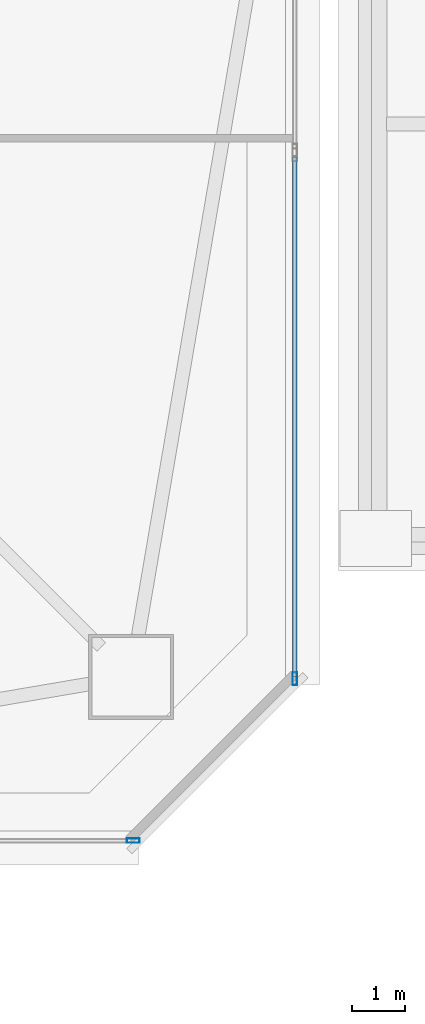
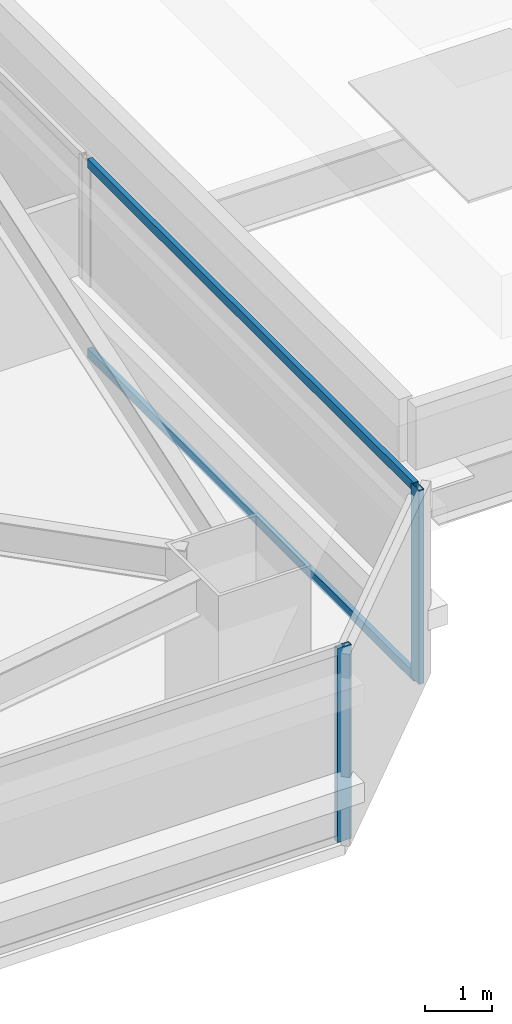
# One storey, part 9 of 62: 4 members, 2 elements without a shape of their own.
"""IFC4 building model written with IfcOpenShell, lengths in metres."""

import ifcopenshell
import ifcopenshell.guid

model = None  # the IFC model being written
_history = None  # IfcOwnerHistory: only IFC2X3 demands one
_inside = {}  # id of a spatial element -> (the spatial element, [elements in it])
_under = {}  # id of a project, library or spatial element -> (it, [spatial elements below it])
_declared = {}  # id of a project -> (the project, [libraries it declares])
_typed = {}  # id of a type object -> (the type object, [elements of that type])
_made_of = {}  # id of a material, layer set ... -> (it, [elements and type objects made of it])


def new_model(schema):
    """Start an empty IFC model of exactly this schema.

    Asked for "IFC4X3", IfcOpenShell would pick the latest addendum, in which some entities
    have other attributes; the version numbers below select the first issue.
    IFC2X3 requires an IfcOwnerHistory on every rooted entity: one is made here for all.
    """
    global model, _history
    if schema == "IFC4X3":
        model = ifcopenshell.file(schema_version=(4, 3, 0, 0))
    else:
        model = ifcopenshell.file(schema=schema)
    _inside.clear()
    _under.clear()
    _declared.clear()
    _typed.clear()
    _made_of.clear()
    _history = None
    if model.schema == "IFC2X3":
        org = make("IfcOrganization", Name="unknown")
        user = make(
            "IfcPersonAndOrganization",
            ThePerson=make("IfcPerson", FamilyName="unknown"),
            TheOrganization=org,
        )
        app = make(
            "IfcApplication",
            ApplicationDeveloper=org,
            Version="unknown",
            ApplicationFullName="unknown",
            ApplicationIdentifier="unknown",
        )
        _history = make(
            "IfcOwnerHistory",
            OwningUser=user,
            OwningApplication=app,
            ChangeAction="ADDED",
            CreationDate=0,
        )
    return model


def make(cls, **values):
    """One entity of the class cls with the attributes given. An attribute that is None is left unset."""
    return model.create_entity(
        cls, **{name: value for name, value in values.items() if value is not None}
    )


def rooted(cls, **values):
    """An entity with a GlobalId (a new one), such as an element, a storey or a relation."""
    return make(cls, GlobalId=ifcopenshell.guid.new(), OwnerHistory=_history, **values)


def si_unit(unit_type, name, prefix=None):
    """IfcSIUnit, for example si_unit("LENGTHUNIT", "METRE", prefix="MILLI")."""
    return make("IfcSIUnit", UnitType=unit_type, Prefix=prefix, Name=name)


def assignment(units):
    """IfcUnitAssignment: the units of a project."""
    return None if units is None else make("IfcUnitAssignment", Units=units)


def point(xyz):
    """IfcCartesianPoint."""
    return None if xyz is None else make("IfcCartesianPoint", Coordinates=xyz)


def direction(xyz):
    """IfcDirection."""
    return None if xyz is None else make("IfcDirection", DirectionRatios=xyz)


def frame(location, z_axis=None, x_axis=None):
    """IfcAxis2Placement3D, a coordinate frame: its origin and axes. An axis left out is left unset."""
    return make(
        "IfcAxis2Placement3D",
        Location=point(location),
        Axis=direction(z_axis),
        RefDirection=direction(x_axis),
    )


def frame_2d(location, x_axis=None):
    """IfcAxis2Placement2D, a coordinate frame in the plane: its origin and x axis."""
    return make(
        "IfcAxis2Placement2D", Location=point(location), RefDirection=direction(x_axis)
    )


def origin():
    """The frame at (0, 0, 0) with its axes left unset."""
    return frame((0.0, 0.0, 0.0))


def origin_2d():
    """The frame at (0, 0) in the plane with its x axis left unset."""
    return frame_2d((0.0, 0.0))


def place(relative_to, where):
    """IfcLocalPlacement: puts the frame where relative to a parent placement (None: the world)."""
    return make(
        "IfcLocalPlacement", PlacementRelTo=relative_to, RelativePlacement=where
    )


def context(
    kind, dimensions, precision=None, world=None, true_north=None, identifier=None
):
    """IfcGeometricRepresentationContext, for example the 3D "Model" context."""
    return make(
        "IfcGeometricRepresentationContext",
        ContextIdentifier=identifier,
        ContextType=kind,
        CoordinateSpaceDimension=dimensions,
        Precision=precision,
        WorldCoordinateSystem=world,
        TrueNorth=true_north,
    )


def subcontext(parent, identifier, kind, view, scale=None):
    """IfcGeometricRepresentationSubContext, for example "Body" below "Model"."""
    return make(
        "IfcGeometricRepresentationSubContext",
        ContextIdentifier=identifier,
        ContextType=kind,
        ParentContext=parent,
        TargetScale=scale,
        TargetView=view,
    )


def project(units=None, contexts=None):
    """IfcProject with its units and contexts."""
    return rooted(
        "IfcProject",
        Name="project",
        RepresentationContexts=contexts,
        UnitsInContext=assignment(units),
    )


def spatial(cls, under=None, at=None, **own):
    """A site, building, storey or space (cls), placed at a placement, below another one or the project."""
    s = rooted(cls, ObjectPlacement=at, **own)
    if under is not None:
        _under.setdefault(under.id(), (under, []))[1].append(s)
    return s


def profile(cls, at=None, kind="AREA", **sizes):
    """A parametric profile (cls). Its sizes go by their IFC names, for example OverallWidth=200.0."""
    return make(cls, ProfileType=kind, Position=at, **sizes)


def hollow_rectangle(**sizes):
    """IfcRectangleHollowProfileDef."""
    return profile("IfcRectangleHollowProfileDef", **sizes)


def extrude(swept, where, along, depth):
    """IfcExtrudedAreaSolid: the profile swept, set in the frame where, extruded along a direction by depth."""
    return make(
        "IfcExtrudedAreaSolid",
        SweptArea=swept,
        Position=where,
        ExtrudedDirection=direction(along),
        Depth=depth,
    )


def shape(context_of_items, identifier, shape_type, items):
    """IfcShapeRepresentation: the items that make up one representation, for example the "Body"."""
    return make(
        "IfcShapeRepresentation",
        ContextOfItems=context_of_items,
        RepresentationIdentifier=identifier,
        RepresentationType=shape_type,
        Items=items,
    )


def material(Name=None, Category=None):
    """IfcMaterial."""
    return make("IfcMaterial", Name=Name, Category=Category)


def material_profile(
    of_material, cross_section, Name=None, Category=None, Priority=None
):
    """IfcMaterialProfile: a cross section and its material."""
    return make(
        "IfcMaterialProfile",
        Name=Name,
        Material=of_material,
        Profile=cross_section,
        Priority=Priority,
        Category=Category,
    )


def profile_set(profiles, Name=None, composite=None):
    """IfcMaterialProfileSet."""
    return make(
        "IfcMaterialProfileSet",
        Name=Name,
        MaterialProfiles=profiles,
        CompositeProfile=composite,
    )


def made_of(thing, what):
    """Note that an element or type object is made of a material, layer set ...; save() writes the relation."""
    if what is not None:
        _made_of.setdefault(what.id(), (what, []))[1].append(thing)
    return thing


def type_object(cls, material=None, **own):
    """A type object (cls), such as IfcWallType, which elements share."""
    return made_of(rooted(cls, **own), material)


def element(
    cls,
    number,
    at=None,
    inside=None,
    cuts=None,
    type_object=None,
    material=None,
    context=None,
    identifier="Body",
    shape_type=None,
    held_by="IfcProductDefinitionShape",
    body=None,
    shapes=None,
    **own,
):
    """One element of the class cls, such as IfcWall. Its Tag is "e" and its number.

    at: its placement. inside: the storey or other place that contains it. cuts: it is an
    opening in that element (IfcRelVoidsElement). A single representation is given by context,
    identifier, shape_type and body (its items); several are given by shapes. held_by: the class
    of the entity that holds the representations. save() writes the other relations.
    """
    e = rooted(cls, Tag="e%d" % number, ObjectPlacement=at, **own)
    if body is not None:
        shapes = [shape(context, identifier, shape_type, body)]
    if shapes is not None:
        e.Representation = make(held_by, Representations=shapes)
    if inside is not None:
        _inside.setdefault(inside.id(), (inside, []))[1].append(e)
    if cuts is not None:
        rooted(
            "IfcRelVoidsElement", RelatingBuildingElement=cuts, RelatedOpeningElement=e
        )
    if type_object is not None:
        _typed.setdefault(type_object.id(), (type_object, []))[1].append(e)
    return made_of(e, material)


def aggregate(whole, parts):
    """IfcRelAggregates: a whole, such as a stair, and the parts it consists of."""
    return rooted("IfcRelAggregates", RelatingObject=whole, RelatedObjects=parts)


def save(model, path):
    """Write the relations noted so far, then the file.

    IfcRelAggregates (storeys below a building ...), IfcRelContainedInSpatialStructure (elements
    in a storey), IfcRelDefinesByType, IfcRelAssociatesMaterial and IfcRelDeclares: one each for
    every whole, place, type object, material and project.
    """
    for whole, parts in _under.values():
        aggregate(whole, parts)
    for where, things in _inside.values():
        rooted(
            "IfcRelContainedInSpatialStructure",
            RelatedElements=things,
            RelatingStructure=where,
        )
    for kind, things in _typed.values():
        rooted("IfcRelDefinesByType", RelatedObjects=things, RelatingType=kind)
    for what, things in _made_of.values():
        rooted("IfcRelAssociatesMaterial", RelatedObjects=things, RelatingMaterial=what)
    for by, libraries in _declared.values():
        rooted("IfcRelDeclares", RelatingContext=by, RelatedDefinitions=libraries)
    model.write(path)


model = new_model("IFC4")

# Units and contexts
model_context = context("Model", 3, precision=1e-05, world=origin(), true_north=direction((0.0, 1.0)))
body_context = subcontext(model_context, "Body", "Model", "MODEL_VIEW")
ifc_project = project(units=[si_unit("LENGTHUNIT", "METRE"), si_unit("AREAUNIT", "SQUARE_METRE"), si_unit("VOLUMEUNIT", "CUBIC_METRE"), si_unit("PLANEANGLEUNIT", "RADIAN"), si_unit("MASSUNIT", "GRAM", prefix="KILO")], contexts=[model_context])

# Site, building, storey
site_placement = place(None, origin())
site = spatial("IfcSite", under=ifc_project, at=site_placement, CompositionType="ELEMENT")
building_placement = place(site_placement, origin())
building = spatial("IfcBuilding", under=site, at=building_placement, Name="Tashvorn Skyway Center", CompositionType="ELEMENT")
storey_placement = place(building_placement, frame((0.0, 0.0, 28.14990234375)))
storey = spatial("IfcBuildingStorey", under=building, at=storey_placement, Name="L06", CompositionType="ELEMENT", Elevation=28.14990234375)

# Curtain wall, member
ifc_material = material(Name="Thermally broken bronze-anodized aluminium 6063-T6", Category="aluminium")
curtain_wall_type = type_object("IfcCurtainWallType", Name="CW-CW-Z1", PredefinedType="NOTDEFINED", material=ifc_material)
curtain_wall_1_placement = place(storey_placement, origin())
curtain_wall_1 = element("IfcCurtainWall", 1, at=curtain_wall_1_placement, inside=storey, type_object=curtain_wall_type, Name="Tower 1 L06 South Unitised Curtain Wall Glazing Group 1", PredefinedType="NOTDEFINED")
ifc_material_profile_1 = material_profile(ifc_material, hollow_rectangle(XDim=0.0849609375, YDim=0.239990234375, WallThickness=0.0048828125, at=origin_2d()), Name="ALU-MULL-85x240")
ifc_profile_set_1 = profile_set([ifc_material_profile_1], Name="Thermally broken bronze-anodized aluminium 6063-T6")
member_type_1 = type_object("IfcMemberType", Name="CWM-CW-Z1", PredefinedType="MULLION", material=ifc_profile_set_1)
member_1_placement = place(storey_placement, frame((61.83740234375, 9.1201171875, 0.0), z_axis=(0.0, 0.0, 1.0), x_axis=(0.0, -1.0, 0.0)))
member_1 = element("IfcMember", 2, at=member_1_placement, type_object=member_type_1, Name="CW-Z1 mullion 1", PredefinedType="MULLION", context=body_context, shape_type="SweptSolid", body=[
    extrude(hollow_rectangle(XDim=0.0849609375, YDim=0.239990234375, WallThickness=0.0048828125, at=origin_2d()), origin(), (0.0, 0.0, 1.0), 3.550048828125),
])
aggregate(curtain_wall_1, [member_1])

# Curtain wall, members
curtain_wall_2_placement = place(storey_placement, origin())
curtain_wall_2 = element("IfcCurtainWall", 3, at=curtain_wall_2_placement, inside=storey, type_object=curtain_wall_type, Name="Tower 1 L06 East Unitised Curtain Wall Glazing Group 4", PredefinedType="NOTDEFINED")
member_2_placement = place(storey_placement, frame((64.8798828125, 12.16259765625, 0.0), z_axis=(0.0, 0.0, 1.0), x_axis=(1.0, 0.0, 0.0)))
member_2 = element("IfcMember", 4, at=member_2_placement, type_object=member_type_1, Name="CW-Z1 mullion 2", PredefinedType="MULLION", context=body_context, shape_type="SweptSolid", body=[
    extrude(hollow_rectangle(XDim=0.0849609375, YDim=0.239990234375, WallThickness=0.0048828125, at=origin_2d()), origin(), (0.0, 0.0, 1.0), 3.550048828125),
])
ifc_material_profile_2 = material_profile(ifc_material, hollow_rectangle(XDim=0.0849609375, YDim=0.1650390625, WallThickness=0.0048828125, at=origin_2d()), Name="ALU-TRAN-85x165")
ifc_profile_set_2 = profile_set([ifc_material_profile_2], Name="Thermally broken bronze-anodized aluminium 6063-T6")
member_type_2 = type_object("IfcMemberType", Name="CWT-CW-Z1", PredefinedType="USERDEFINED", material=ifc_profile_set_2)
member_3_placement = place(storey_placement, frame((64.8798828125, 21.97509765625, 0.04248046875), z_axis=(0.0, -1.0, 0.0), x_axis=(1.0, 0.0, 0.0)))
member_3 = element("IfcMember", 5, at=member_3_placement, type_object=member_type_2, Name="CW-Z1 transom 1.1", ObjectType="TRANSOM", PredefinedType="USERDEFINED", context=body_context, shape_type="SweptSolid", body=[
    extrude(hollow_rectangle(XDim=0.0849609375, YDim=0.1650390625, WallThickness=0.0048828125, at=origin_2d()), origin(), (0.0, 0.0, 1.0), 9.77001953125),
])
member_4_placement = place(storey_placement, frame((64.8798828125, 21.97509765625, 3.507568359375), z_axis=(0.0, -1.0, 0.0), x_axis=(1.0, 0.0, 0.0)))
member_4 = element("IfcMember", 6, at=member_4_placement, type_object=member_type_2, Name="CW-Z1 transom 1.2", ObjectType="TRANSOM", PredefinedType="USERDEFINED", context=body_context, shape_type="SweptSolid", body=[
    extrude(hollow_rectangle(XDim=0.0849609375, YDim=0.1650390625, WallThickness=0.0048828125, at=origin_2d()), origin(), (0.0, 0.0, 1.0), 9.77001953125),
])
aggregate(curtain_wall_2, [member_2, member_3, member_4])

save(model, "model.ifc")
